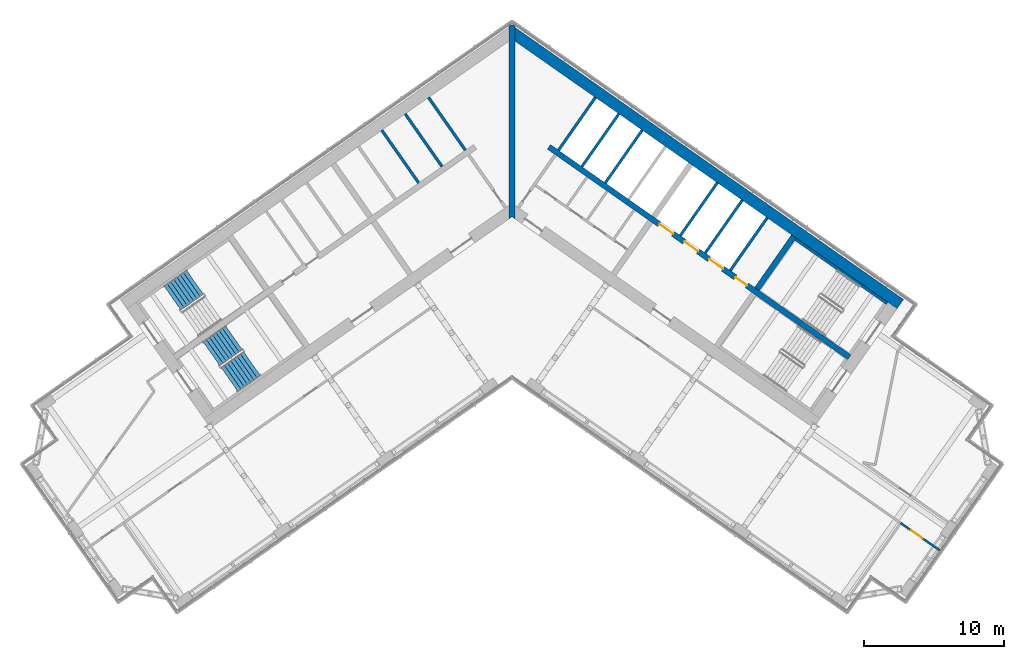
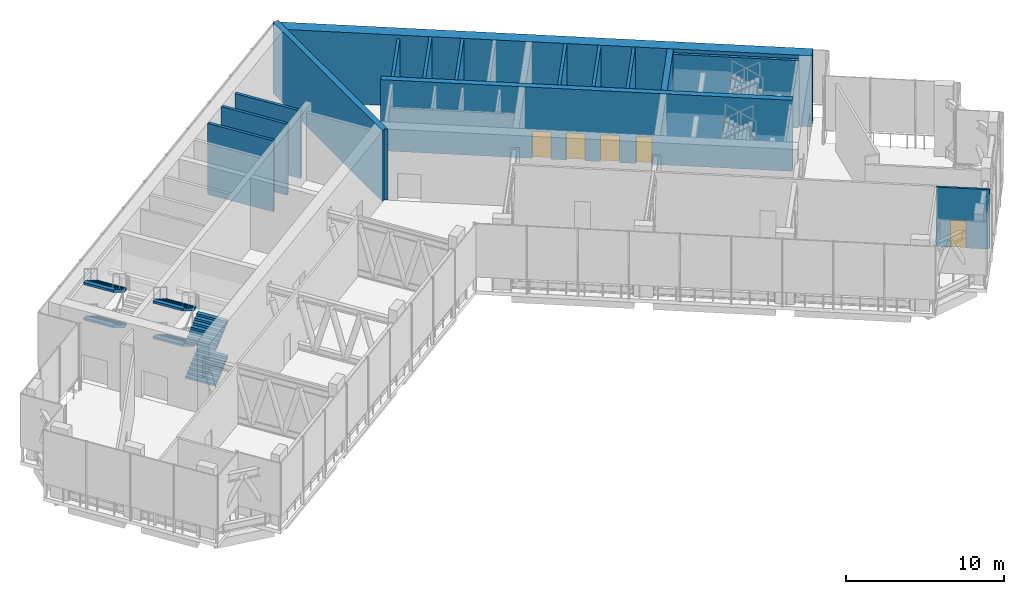
# One storey, part 6 of 19: 15 walls, 6 stair flights, 5 doors, 5 openings, 2 elements without a shape of their own.
"""IFC4 building model written with IfcOpenShell, lengths in metres."""

from ifc_helpers import new_model, si_unit, direction, frame, frame_2d, origin, place, context, subcontext, project, spatial, polyline, rectangle, outline, extrude, material, layer, layer_set, type_object, element, fill, aggregate, save


model = new_model("IFC4")

# Units and contexts
model_context = context("Model", 3, precision=1e-05, world=origin(), true_north=direction((0.0, 1.0)))
body_context = subcontext(model_context, "Body", "Model", "MODEL_VIEW")
ifc_project = project(units=[si_unit("LENGTHUNIT", "METRE"), si_unit("AREAUNIT", "SQUARE_METRE"), si_unit("VOLUMEUNIT", "CUBIC_METRE"), si_unit("PLANEANGLEUNIT", "RADIAN"), si_unit("MASSUNIT", "GRAM", prefix="KILO")], contexts=[model_context])

# Site, building, storey
site_placement = place(None, origin())
site = spatial("IfcSite", under=ifc_project, at=site_placement, CompositionType="ELEMENT")
building_placement = place(site_placement, origin())
building = spatial("IfcBuilding", under=site, at=building_placement, Name="Tel Ilan Convention Tower", CompositionType="ELEMENT")
storey_placement = place(building_placement, frame((0.0, 0.0, 213.89990234375)))
storey = spatial("IfcBuildingStorey", under=building, at=storey_placement, Name="L50", CompositionType="ELEMENT", Elevation=213.89990234375)

# Walls
ifc_material_1 = material(Name="Concrete C30/37", Category="concrete")
ifc_layer_1 = layer(ifc_material_1, 0.199951171875)
ifc_layer_set_1 = layer_set([ifc_layer_1], Name="Core Service Room Wall 200 mm C30/37")
wall_type_1 = type_object("IfcWallType", Name="Core Service Room Wall 200 mm C30/37", PredefinedType="SOLIDWALL", material=ifc_layer_set_1)
for number, where, z_axis, x_axis, name in (
    (1, (-3.32666015625, 3.530517578125, 0.0), (0.0, 0.0, 1.0), (-0.573576324356, 0.819152122709, 0.0), "L50 core wall apex-W-b"),
    (2, (3.32666015625, 3.530517578125, 0.0), (0.0, 0.0, 1.0), (0.573576324356, 0.819152122709, 0.0), "L50 core wall apex-E-b"),
):
    element("IfcWall", number, at=place(storey_placement, frame(where, z_axis=z_axis, x_axis=x_axis)), inside=storey, type_object=wall_type_1, Name=name, PredefinedType="SOLIDWALL", context=body_context, shape_type="SweptSolid", body=[
        extrude(rectangle(XDim=4.599853515625, YDim=0.199951171875, at=frame_2d((2.2998046875, 0.0))), origin(), (0.0, 0.0, 1.0), 5.22021484375),
    ])
ifc_material_2 = material(Name="Concrete C50/60", Category="concrete")
ifc_layer_2 = layer(ifc_material_2, 0.39990234375)
ifc_layer_set_2 = layer_set([ifc_layer_2], Name="Core Shear Wall 400 mm C50/60")
wall_type_2 = type_object("IfcWallType", Name="Core Shear Wall 400 mm C50/60", PredefinedType="SHEAR", material=ifc_layer_set_2)
wall_1_placement = place(storey_placement, frame((17.497802734375, -6.392333984375, 0.0), z_axis=(0.0, 0.0, 1.0), x_axis=(0.573611936273, 0.819127185829, 0.0)))
element("IfcWall", 3, at=wall_1_placement, inside=storey, type_object=wall_type_2, Name="L50 core wall E-cross2-2", PredefinedType="SHEAR", context=body_context, shape_type="SweptSolid", body=[
    extrude(outline(polyline([(4.599853515625, -0.199951171875), (4.599853515625, 0.2001953125), (0.0, 0.199951171875), (0.0, -0.2001953125), (4.599853515625, -0.199951171875)])), origin(), (0.0, 0.0, 1.0), 5.5),
])

# Wall, openings, doors
wall_2_placement = place(storey_placement, frame((2.638427734375, 3.76806640625, 0.0), z_axis=(0.0, 0.0, 1.0), x_axis=(0.81915267502, -0.573575535572, 0.0)))
wall_2 = element("IfcWall", 4, at=wall_2_placement, inside=storey, type_object=wall_type_2, Name="L50 core wall E-spine", PredefinedType="SHEAR", context=body_context, shape_type="SweptSolid", body=[
    extrude(outline(polyline([(0.0, 0.199951171875), (0.0, -0.199951171875), (26.199951171875, -0.199951171875), (26.199951171875, 0.199951171875), (0.0, 0.199951171875)])), origin(), (0.0, 0.0, 1.0), 5.5),
])
opening_1_placement = place(wall_2_placement, frame((9.637451171875, 0.0, 0.0)))
opening_1 = element("IfcOpeningElement", 5, at=opening_1_placement, cuts=wall_2, Name="Opening LD3901", PredefinedType="OPENING", context=body_context, shape_type="SweptSolid", body=[
    extrude(rectangle(XDim=1.199951171875, YDim=2.10009765625, at=frame_2d((0.60009765625, 1.050048828125))), frame((0.0, 0.2099609375, 0.0), z_axis=(0.0, -1.0, 0.0), x_axis=(1.0, 0.0, 0.0)), (0.0, 0.0, 1.0), 0.419921875),
])
opening_2_placement = place(wall_2_placement, frame((11.8125, 0.0, 0.0)))
opening_2 = element("IfcOpeningElement", 6, at=opening_2_placement, cuts=wall_2, Name="Opening LD3902", PredefinedType="OPENING", context=body_context, shape_type="SweptSolid", body=[
    extrude(rectangle(XDim=1.199951171875, YDim=2.10009765625, at=frame_2d((0.60009765625, 1.050048828125))), frame((0.0, 0.2099609375, 0.0), z_axis=(0.0, -1.0, 0.0), x_axis=(1.0, 0.0, 0.0)), (0.0, 0.0, 1.0), 0.419921875),
])
opening_3_placement = place(wall_2_placement, frame((13.987548828125, 0.0, 0.0)))
opening_3 = element("IfcOpeningElement", 7, at=opening_3_placement, cuts=wall_2, Name="Opening LD3903", PredefinedType="OPENING", context=body_context, shape_type="SweptSolid", body=[
    extrude(rectangle(XDim=1.199951171875, YDim=2.10009765625, at=frame_2d((0.60009765625, 1.050048828125))), frame((0.0, 0.2099609375, 0.0), z_axis=(0.0, -1.0, 0.0), x_axis=(1.0, 0.0, 0.0)), (0.0, 0.0, 1.0), 0.419921875),
])
opening_4_placement = place(wall_2_placement, frame((16.262451171875, 0.0, 0.0)))
opening_4 = element("IfcOpeningElement", 8, at=opening_4_placement, cuts=wall_2, Name="Opening CD3907", PredefinedType="OPENING", context=body_context, shape_type="SweptSolid", body=[
    extrude(rectangle(XDim=1.0, YDim=2.10009765625, at=frame_2d((0.5, 1.050048828125))), frame((0.0, 0.2099609375, 0.0), z_axis=(0.0, -1.0, 0.0), x_axis=(1.0, 0.0, 0.0)), (0.0, 0.0, 1.0), 0.419921875),
])
ifc_material_3 = material(Name="Stainless Steel Sliding Door Leaf", Category="steel")
door_type_1 = type_object("IfcDoorType", Name="Lift Landing Door 1200 x 2100 FD120", OperationType="NOTDEFINED", PredefinedType="DOOR", material=ifc_material_3)
door_1_placement = place(opening_1_placement, origin())
door_1 = element("IfcDoor", 9, at=door_1_placement, inside=storey, type_object=door_type_1, Name="Lift FL1 landing door", OperationType="SLIDING_TO_LEFT", OverallHeight=2.10009765625, OverallWidth=1.199951171875, PredefinedType="DOOR", context=body_context, shape_type="SweptSolid", body=[
    extrude(rectangle(XDim=1.199951171875, YDim=2.10009765625, at=frame_2d((0.60009765625, 1.050048828125))), frame((0.0, 0.02490234375, 0.0), z_axis=(0.0, -1.0, 0.0), x_axis=(1.0, 0.0, 0.0)), (0.0, 0.0, 1.0), 0.050048828125),
])
fill(opening_1, door_1)
door_2_placement = place(opening_2_placement, origin())
door_2 = element("IfcDoor", 10, at=door_2_placement, inside=storey, type_object=door_type_1, Name="Lift FL2 landing door", OperationType="SLIDING_TO_RIGHT", OverallHeight=2.10009765625, OverallWidth=1.199951171875, PredefinedType="DOOR", context=body_context, shape_type="SweptSolid", body=[
    extrude(rectangle(XDim=1.199951171875, YDim=2.10009765625, at=frame_2d((0.60009765625, 1.050048828125))), frame((0.0, 0.02490234375, 0.0), z_axis=(0.0, -1.0, 0.0), x_axis=(1.0, 0.0, 0.0)), (0.0, 0.0, 1.0), 0.050048828125),
])
fill(opening_2, door_2)
door_3_placement = place(opening_3_placement, origin())
door_3 = element("IfcDoor", 11, at=door_3_placement, inside=storey, type_object=door_type_1, Name="Lift FL3 landing door", OperationType="SLIDING_TO_LEFT", OverallHeight=2.10009765625, OverallWidth=1.199951171875, PredefinedType="DOOR", context=body_context, shape_type="SweptSolid", body=[
    extrude(rectangle(XDim=1.199951171875, YDim=2.10009765625, at=frame_2d((0.60009765625, 1.050048828125))), frame((0.0, 0.02490234375, 0.0), z_axis=(0.0, -1.0, 0.0), x_axis=(1.0, 0.0, 0.0)), (0.0, 0.0, 1.0), 0.050048828125),
])
fill(opening_3, door_3)
ifc_material_4 = material(Name="Galvanised Steel Door Leaf", Category="steel")
door_type_2 = type_object("IfcDoorType", Name="Service Room Door 1000 x 2100 FD60", OperationType="NOTDEFINED", PredefinedType="DOOR", material=ifc_material_4)
door_4_placement = place(opening_4_placement, origin())
door_4 = element("IfcDoor", 12, at=door_4_placement, inside=storey, type_object=door_type_2, Name="Plant Room door", OperationType="SINGLE_SWING_RIGHT", OverallHeight=2.10009765625, OverallWidth=1.0, PredefinedType="DOOR", context=body_context, shape_type="SweptSolid", body=[
    extrude(rectangle(XDim=1.0, YDim=2.10009765625, at=frame_2d((0.5, 1.050048828125))), frame((0.0, 0.02490234375, 0.0), z_axis=(0.0, -1.0, 0.0), x_axis=(1.0, 0.0, 0.0)), (0.0, 0.0, 1.0), 0.050048828125),
])
fill(opening_4, door_4)

# Walls
wall_3_placement = place(storey_placement, frame((0.0, -1.36083984375, 0.0), z_axis=(0.0, 0.0, 1.0), x_axis=(0.0, 1.0, 0.0)))
element("IfcWall", 13, at=wall_3_placement, inside=storey, type_object=wall_type_2, Name="L50 core wall K-central", PredefinedType="SHEAR", context=body_context, shape_type="SweptSolid", body=[
    extrude(outline(polyline([(0.0, -0.199951171875), (0.14013671875, -0.199951171875), (1.0751953125, -0.199951171875), (12.696044921875, -0.199951171875), (13.812744140625, -0.199951171875), (13.893310546875, -0.199951171875), (13.933349609375, -0.172119140625), (13.812744140625, 0.0), (13.933349609375, 0.172119140625), (13.893310546875, 0.199951171875), (13.812744140625, 0.199951171875), (12.696044921875, 0.199951171875), (1.0751953125, 0.199951171875), (0.14013671875, 0.199951171875), (0.0, 0.199951171875), (0.14013671875, 0.0), (0.0, -0.199951171875)])), origin(), (0.0, 0.0, 1.0), 5.5),
])
ifc_material_5 = material(Name="Concrete C50/60", Category="concrete")
ifc_layer_3 = layer(ifc_material_5, 0.800048828125)
ifc_layer_set_3 = layer_set([ifc_layer_3], Name="Core Shear Wall 800 mm C50/60")
wall_type_3 = type_object("IfcWallType", Name="Core Shear Wall 800 mm C50/60", PredefinedType="SHEAR", material=ifc_layer_set_3)
wall_4_placement = place(storey_placement, frame((-0.029296875, 11.984130859375, 0.0), z_axis=(0.0, 0.0, 1.0), x_axis=(0.819151382952, -0.573577380837, 0.0)))
element("IfcWall", 14, at=wall_4_placement, inside=storey, type_object=wall_type_3, Name="L50 core wall E-back", PredefinedType="SHEAR", context=body_context, shape_type="SweptSolid", body=[
    extrude(outline(polyline([(33.897705078125, 0.400146484375), (-0.000244140625, 0.39990234375), (0.56005859375, -0.400146484375), (33.897705078125, -0.39990234375), (33.897705078125, 0.400146484375)])), origin(), (0.0, 0.0, 1.0), 5.5),
])

# Wall, opening, door
ifc_material_6 = material(Name="Plasterboard on Steel Studs", Category="steel")
ifc_layer_4 = layer(ifc_material_6, 0.14990234375)
ifc_layer_set_4 = layer_set([ifc_layer_4], Name="Fire-rated Partition 150 EI 60")
wall_type_4 = type_object("IfcWallType", Name="Fire-rated Partition 150 EI 60", PredefinedType="PARTITIONING", material=ifc_layer_set_4)
wall_5_placement = place(storey_placement, frame((30.553955078125, -25.056396484375, 0.0), z_axis=(0.0, 0.0, 1.0), x_axis=(-0.819147629048, 0.573582741917, 0.0)))
wall_5 = element("IfcWall", 15, at=wall_5_placement, inside=storey, type_object=wall_type_4, Name="Partition 004", PredefinedType="PARTITIONING", context=body_context, shape_type="SweptSolid", body=[
    extrude(rectangle(XDim=3.402099609375, YDim=0.14990234375, at=frame_2d((1.701171875, 0.0))), origin(), (0.0, 0.0, 1.0), 4.60009765625),
])
opening_5_placement = place(wall_5_placement, frame((1.5009765625, 0.0, 0.0)))
opening_5 = element("IfcOpeningElement", 16, at=opening_5_placement, cuts=wall_5, Name="Opening L50-006", PredefinedType="OPENING", context=body_context, shape_type="SweptSolid", body=[
    extrude(rectangle(XDim=1.0, YDim=2.10009765625, at=frame_2d((0.5, 1.050048828125))), frame((0.0, 0.0849609375, 0.0), z_axis=(0.0, -1.0, 0.0), x_axis=(1.0, 0.0, 0.0)), (0.0, 0.0, 1.0), 0.169921875),
])
ifc_material_7 = material(Name="Timber Door Leaf in Steel Frame", Category="steel")
door_type_3 = type_object("IfcDoorType", Name="Plant Room Fire Door 1000x2100", OperationType="NOTDEFINED", PredefinedType="DOOR", material=ifc_material_7)
door_5_placement = place(opening_5_placement, origin())
door_5 = element("IfcDoor", 17, at=door_5_placement, inside=storey, type_object=door_type_3, Name="Door L50-006", OperationType="SINGLE_SWING_RIGHT", OverallHeight=2.10009765625, OverallWidth=1.0, PredefinedType="DOOR", context=body_context, shape_type="SweptSolid", body=[
    extrude(rectangle(XDim=1.0, YDim=2.10009765625, at=frame_2d((0.5, 1.050048828125))), frame((0.0, 0.02490234375, 0.0), z_axis=(0.0, -1.0, 0.0), x_axis=(1.0, 0.0, 0.0)), (0.0, 0.0, 1.0), 0.050048828125),
])
fill(opening_5, door_5)

# Walls
ifc_material_8 = material(Name="Concrete C30/37", Category="concrete")
ifc_layer_5 = layer(ifc_material_8, 0.199951171875)
ifc_layer_set_5 = layer_set([ifc_layer_5], Name="Lift Shaft Wall 200 mm C30/37")
wall_type_5 = type_object("IfcWallType", Name="Lift Shaft Wall 200 mm C30/37", PredefinedType="SOLIDWALL", material=ifc_layer_set_5)
for number, where, z_axis, x_axis, name in (
    (18, (-4.99560546875, 2.36181640625, 0.0), (0.0, 0.0, 1.0), (-0.573576324356, 0.819152122709, 0.0), "L50 core wall bank-W1-p0"),
    (19, (-6.66455078125, 1.193115234375, 0.0), (0.0, 0.0, 1.0), (-0.573576324356, 0.819152122709, 0.0), "L50 core wall bank-W1-p1"),
    (20, (4.99560546875, 2.36181640625, 0.0), (0.0, 0.0, 1.0), (0.573576324356, 0.819152122709, 0.0), "L50 core wall bank-E1-p0"),
    (21, (6.66455078125, 1.193115234375, 0.0), (0.0, 0.0, 1.0), (0.573576324356, 0.819152122709, 0.0), "L50 core wall bank-E1-p1"),
    (22, (12.030029296875, -2.563720703125, 0.0), (0.0, 0.0, 1.0), (0.573576324356, 0.819152122709, 0.0), "L50 core wall bank-E2-p0"),
    (23, (13.811767578125, -3.811279296875, 0.0), (0.0, 0.0, 1.0), (0.573576324356, 0.819152122709, 0.0), "L50 core wall bank-E2-p1"),
    (24, (15.593505859375, -5.058837890625, 0.0), (0.0, 0.0, 1.0), (0.573540709186, 0.819177059558, 0.0), "L50 core wall bank-E2-p2"),
):
    element("IfcWall", number, at=place(storey_placement, frame(where, z_axis=z_axis, x_axis=x_axis)), inside=storey, type_object=wall_type_5, Name=name, PredefinedType="SOLIDWALL", context=body_context, shape_type="SweptSolid", body=[
        extrude(rectangle(XDim=4.599853515625, YDim=0.199951171875, at=frame_2d((2.2998046875, 0.0))), origin(), (0.0, 0.0, 1.0), 5.5),
    ])
ifc_material_9 = material(Name="Concrete C30/37", Category="concrete")
ifc_layer_6 = layer(ifc_material_9, 0.199951171875)
ifc_layer_set_6 = layer_set([ifc_layer_6], Name="Stair and Shaft Lining Wall 200 mm C30/37")
wall_type_6 = type_object("IfcWallType", Name="Stair and Shaft Lining Wall 200 mm C30/37", PredefinedType="SOLIDWALL", material=ifc_layer_set_6)
wall_6_placement = place(storey_placement, frame((20.242919921875, -2.821044921875, 0.0), z_axis=(0.0, 0.0, 1.0), x_axis=(0.819141584393, -0.57359137434, 0.0)))
element("IfcWall", 25, at=wall_6_placement, inside=storey, type_object=wall_type_6, Name="L50 core wall lining-S3-t1", PredefinedType="SOLIDWALL", context=body_context, shape_type="SweptSolid", body=[
    extrude(rectangle(XDim=7.999755859375, YDim=0.199951171875, at=frame_2d((4.0, 0.0))), origin(), (0.0, 0.0, 1.0), 5.22021484375),
])

# Stair, stair flights
ifc_material_10 = material(Name="Concrete C40/50", Category="concrete")
stair_type = type_object("IfcStairType", Name="Pressurised Exit Stair 32 risers 172 mm", PredefinedType="HALF_TURN_STAIR", material=ifc_material_10)
stair_1_placement = place(storey_placement, origin())
stair_1 = element("IfcStair", 26, at=stair_1_placement, inside=storey, type_object=stair_type, Name="L50 Pressurised Stair S1", PredefinedType="HALF_TURN_STAIR")
ifc_material_11 = material(Name="Precast Concrete C40/50", Category="concrete")
stair_flight_type = type_object("IfcStairFlightType", Name="Concrete Stair Flight 2100 mm 32 risers 172 mm", PredefinedType="STRAIGHT", material=ifc_material_11)
stair_flight_1_placement = place(storey_placement, frame((-22.646728515625, -5.908203125, 1.375), z_axis=(0.0, 0.0, 1.0), x_axis=(-0.819152044289, -0.573576436351, 0.0)))
stair_flight_1 = element("IfcStairFlight", 27, at=stair_flight_1_placement, type_object=stair_flight_type, Name="S1 flight 2", NumberOfRisers=8, NumberOfTreads=7, PredefinedType="STRAIGHT", RiserHeight=0.171875, TreadLength=0.28, context=body_context, shape_type="SweptSolid", body=[
    extrude(outline(polyline([(0.0, 0.0), (0.0, 0.171875), (0.280029296875, 0.171875), (0.280029296875, 0.34375), (0.56005859375, 0.34375), (0.56005859375, 0.515625), (0.840087890625, 0.515625), (0.840087890625, 0.6875), (1.1201171875, 0.6875), (1.1201171875, 0.859375), (1.39990234375, 0.859375), (1.39990234375, 1.03125), (1.679931640625, 1.03125), (1.679931640625, 1.203125), (1.9599609375, 1.203125), (1.9599609375, 1.375), (1.9599609375, 1.02734375), (0.28662109375, 0.0), (0.0, 0.0)])), frame((0.0, -0.100341796875, 0.0), z_axis=(0.0, -1.0, 0.0), x_axis=(1.0, 0.0, 0.0)), (0.0, 0.0, 1.0), 0.94970703125),
    extrude(outline(polyline([(0.0, 0.0), (0.0, 0.171875), (0.280029296875, 0.171875), (0.280029296875, 0.34375), (0.56005859375, 0.34375), (0.56005859375, 0.515625), (0.840087890625, 0.515625), (0.840087890625, 0.6875), (1.1201171875, 0.6875), (1.1201171875, 0.859375), (1.39990234375, 0.859375), (1.39990234375, 1.03125), (1.679931640625, 1.03125), (1.679931640625, 1.203125), (1.9599609375, 1.203125), (1.9599609375, 1.375), (1.9599609375, 1.02734375), (0.28662109375, 0.0), (0.0, 0.0)])), frame((0.0, -0.000244140625, 0.0), z_axis=(0.0, -1.0, 0.0), x_axis=(1.0, 0.0, 0.0)), (0.0, 0.0, 1.0), 0.099609375),
    extrude(outline(polyline([(0.0, 0.0), (0.0, 0.171875), (0.280029296875, 0.171875), (0.280029296875, 0.34375), (0.56005859375, 0.34375), (0.56005859375, 0.515625), (0.840087890625, 0.515625), (0.840087890625, 0.6875), (1.1201171875, 0.6875), (1.1201171875, 0.859375), (1.39990234375, 0.859375), (1.39990234375, 1.03125), (1.679931640625, 1.03125), (1.679931640625, 1.203125), (1.9599609375, 1.203125), (1.9599609375, 1.375), (1.9599609375, 1.02734375), (0.28662109375, 0.0), (0.0, 0.0)])), frame((0.0, 0.099853515625, 0.0), z_axis=(0.0, -1.0, 0.0), x_axis=(1.0, 0.0, 0.0)), (0.0, 0.0, 1.0), 0.099609375),
    extrude(outline(polyline([(0.0, 0.0), (0.0, 0.171875), (0.280029296875, 0.171875), (0.280029296875, 0.34375), (0.56005859375, 0.34375), (0.56005859375, 0.515625), (0.840087890625, 0.515625), (0.840087890625, 0.6875), (1.1201171875, 0.6875), (1.1201171875, 0.859375), (1.39990234375, 0.859375), (1.39990234375, 1.03125), (1.679931640625, 1.03125), (1.679931640625, 1.203125), (1.9599609375, 1.203125), (1.9599609375, 1.375), (1.9599609375, 1.02734375), (0.28662109375, 0.0), (0.0, 0.0)])), frame((0.0, 1.050048828125, 0.0), z_axis=(0.0, -1.0, 0.0), x_axis=(1.0, 0.0, 0.0)), (0.0, 0.0, 1.0), 0.94970703125),
])
stair_flight_2_placement = place(storey_placement, frame((-22.646728515625, -5.908203125, 4.125), z_axis=(0.0, 0.0, 1.0), x_axis=(-0.819152044289, -0.573576436351, 0.0)))
stair_flight_2 = element("IfcStairFlight", 28, at=stair_flight_2_placement, type_object=stair_flight_type, Name="S1 flight 4", NumberOfRisers=8, NumberOfTreads=7, PredefinedType="STRAIGHT", RiserHeight=0.171875, TreadLength=0.28, context=body_context, shape_type="SweptSolid", body=[
    extrude(outline(polyline([(0.0, 0.0), (0.0, 0.171875), (0.280029296875, 0.171875), (0.280029296875, 0.34375), (0.56005859375, 0.34375), (0.56005859375, 0.515625), (0.840087890625, 0.515625), (0.840087890625, 0.6875), (1.1201171875, 0.6875), (1.1201171875, 0.859375), (1.39990234375, 0.859375), (1.39990234375, 1.03125), (1.679931640625, 1.03125), (1.679931640625, 1.203125), (1.9599609375, 1.203125), (1.9599609375, 1.375), (1.9599609375, 1.02734375), (0.28662109375, 0.0), (0.0, 0.0)])), frame((0.0, -0.100341796875, 0.0), z_axis=(0.0, -1.0, 0.0), x_axis=(1.0, 0.0, 0.0)), (0.0, 0.0, 1.0), 0.94970703125),
    extrude(outline(polyline([(0.0, 0.0), (0.0, 0.171875), (0.280029296875, 0.171875), (0.280029296875, 0.34375), (0.56005859375, 0.34375), (0.56005859375, 0.515625), (0.840087890625, 0.515625), (0.840087890625, 0.6875), (1.1201171875, 0.6875), (1.1201171875, 0.859375), (1.39990234375, 0.859375), (1.39990234375, 1.03125), (1.679931640625, 1.03125), (1.679931640625, 1.203125), (1.9599609375, 1.203125), (1.9599609375, 1.375), (1.9599609375, 1.02734375), (0.28662109375, 0.0), (0.0, 0.0)])), frame((0.0, -0.000244140625, 0.0), z_axis=(0.0, -1.0, 0.0), x_axis=(1.0, 0.0, 0.0)), (0.0, 0.0, 1.0), 0.099609375),
    extrude(outline(polyline([(0.0, 0.0), (0.0, 0.171875), (0.280029296875, 0.171875), (0.280029296875, 0.34375), (0.56005859375, 0.34375), (0.56005859375, 0.515625), (0.840087890625, 0.515625), (0.840087890625, 0.6875), (1.1201171875, 0.6875), (1.1201171875, 0.859375), (1.39990234375, 0.859375), (1.39990234375, 1.03125), (1.679931640625, 1.03125), (1.679931640625, 1.203125), (1.9599609375, 1.203125), (1.9599609375, 1.375), (1.9599609375, 1.02734375), (0.28662109375, 0.0), (0.0, 0.0)])), frame((0.0, 0.099853515625, 0.0), z_axis=(0.0, -1.0, 0.0), x_axis=(1.0, 0.0, 0.0)), (0.0, 0.0, 1.0), 0.099609375),
    extrude(outline(polyline([(0.0, 0.0), (0.0, 0.171875), (0.280029296875, 0.171875), (0.280029296875, 0.34375), (0.56005859375, 0.34375), (0.56005859375, 0.515625), (0.840087890625, 0.515625), (0.840087890625, 0.6875), (1.1201171875, 0.6875), (1.1201171875, 0.859375), (1.39990234375, 0.859375), (1.39990234375, 1.03125), (1.679931640625, 1.03125), (1.679931640625, 1.203125), (1.9599609375, 1.203125), (1.9599609375, 1.375), (1.9599609375, 1.02734375), (0.28662109375, 0.0), (0.0, 0.0)])), frame((0.0, 1.050048828125, 0.0), z_axis=(0.0, -1.0, 0.0), x_axis=(1.0, 0.0, 0.0)), (0.0, 0.0, 1.0), 0.94970703125),
])
aggregate(stair_1, [stair_flight_1, stair_flight_2])

stair_2_placement = place(storey_placement, origin())
stair_2 = element("IfcStair", 29, at=stair_2_placement, inside=storey, type_object=stair_type, Name="L50 Pressurised Stair S2", PredefinedType="HALF_TURN_STAIR")
stair_flight_3_placement = place(storey_placement, frame((-20.179931640625, -12.848388671875, 0.0), z_axis=(0.0, 0.0, 1.0), x_axis=(0.819152044289, 0.573576436351, 0.0)))
stair_flight_3 = element("IfcStairFlight", 30, at=stair_flight_3_placement, type_object=stair_flight_type, Name="S2 flight 1", NumberOfRisers=8, NumberOfTreads=7, PredefinedType="STRAIGHT", RiserHeight=0.171875, TreadLength=0.28, context=body_context, shape_type="SweptSolid", body=[
    extrude(outline(polyline([(0.0, 0.0), (0.0, 0.171875), (0.280029296875, 0.171875), (0.280029296875, 0.34375), (0.56005859375, 0.34375), (0.56005859375, 0.515625), (0.840087890625, 0.515625), (0.840087890625, 0.6875), (1.1201171875, 0.6875), (1.1201171875, 0.859375), (1.39990234375, 0.859375), (1.39990234375, 1.03125), (1.679931640625, 1.03125), (1.679931640625, 1.203125), (1.9599609375, 1.203125), (1.9599609375, 1.375), (1.9599609375, 1.02734375), (0.28662109375, 0.0), (0.0, 0.0)])), frame((0.0, -0.100341796875, 0.0), z_axis=(0.0, -1.0, 0.0), x_axis=(1.0, 0.0, 0.0)), (0.0, 0.0, 1.0), 0.94970703125),
    extrude(outline(polyline([(0.0, 0.0), (0.0, 0.171875), (0.280029296875, 0.171875), (0.280029296875, 0.34375), (0.56005859375, 0.34375), (0.56005859375, 0.515625), (0.840087890625, 0.515625), (0.840087890625, 0.6875), (1.1201171875, 0.6875), (1.1201171875, 0.859375), (1.39990234375, 0.859375), (1.39990234375, 1.03125), (1.679931640625, 1.03125), (1.679931640625, 1.203125), (1.9599609375, 1.203125), (1.9599609375, 1.375), (1.9599609375, 1.02734375), (0.28662109375, 0.0), (0.0, 0.0)])), frame((0.0, -0.000244140625, 0.0), z_axis=(0.0, -1.0, 0.0), x_axis=(1.0, 0.0, 0.0)), (0.0, 0.0, 1.0), 0.099609375),
    extrude(outline(polyline([(0.0, 0.0), (0.0, 0.171875), (0.280029296875, 0.171875), (0.280029296875, 0.34375), (0.56005859375, 0.34375), (0.56005859375, 0.515625), (0.840087890625, 0.515625), (0.840087890625, 0.6875), (1.1201171875, 0.6875), (1.1201171875, 0.859375), (1.39990234375, 0.859375), (1.39990234375, 1.03125), (1.679931640625, 1.03125), (1.679931640625, 1.203125), (1.9599609375, 1.203125), (1.9599609375, 1.375), (1.9599609375, 1.02734375), (0.28662109375, 0.0), (0.0, 0.0)])), frame((0.0, 0.099853515625, 0.0), z_axis=(0.0, -1.0, 0.0), x_axis=(1.0, 0.0, 0.0)), (0.0, 0.0, 1.0), 0.099609375),
    extrude(outline(polyline([(0.0, 0.0), (0.0, 0.171875), (0.280029296875, 0.171875), (0.280029296875, 0.34375), (0.56005859375, 0.34375), (0.56005859375, 0.515625), (0.840087890625, 0.515625), (0.840087890625, 0.6875), (1.1201171875, 0.6875), (1.1201171875, 0.859375), (1.39990234375, 0.859375), (1.39990234375, 1.03125), (1.679931640625, 1.03125), (1.679931640625, 1.203125), (1.9599609375, 1.203125), (1.9599609375, 1.375), (1.9599609375, 1.02734375), (0.28662109375, 0.0), (0.0, 0.0)])), frame((0.0, 1.050048828125, 0.0), z_axis=(0.0, -1.0, 0.0), x_axis=(1.0, 0.0, 0.0)), (0.0, 0.0, 1.0), 0.94970703125),
])
stair_flight_4_placement = place(storey_placement, frame((-19.864990234375, -9.881103515625, 1.375), z_axis=(0.0, 0.0, 1.0), x_axis=(-0.819152044289, -0.573576436351, 0.0)))
stair_flight_4 = element("IfcStairFlight", 31, at=stair_flight_4_placement, type_object=stair_flight_type, Name="S2 flight 2", NumberOfRisers=8, NumberOfTreads=7, PredefinedType="STRAIGHT", RiserHeight=0.171875, TreadLength=0.28, context=body_context, shape_type="SweptSolid", body=[
    extrude(outline(polyline([(0.0, 0.0), (0.0, 0.171875), (0.280029296875, 0.171875), (0.280029296875, 0.34375), (0.56005859375, 0.34375), (0.56005859375, 0.515625), (0.840087890625, 0.515625), (0.840087890625, 0.6875), (1.1201171875, 0.6875), (1.1201171875, 0.859375), (1.39990234375, 0.859375), (1.39990234375, 1.03125), (1.679931640625, 1.03125), (1.679931640625, 1.203125), (1.9599609375, 1.203125), (1.9599609375, 1.375), (1.9599609375, 1.02734375), (0.28662109375, 0.0), (0.0, 0.0)])), frame((0.0, -0.100341796875, 0.0), z_axis=(0.0, -1.0, 0.0), x_axis=(1.0, 0.0, 0.0)), (0.0, 0.0, 1.0), 0.94970703125),
    extrude(outline(polyline([(0.0, 0.0), (0.0, 0.171875), (0.280029296875, 0.171875), (0.280029296875, 0.34375), (0.56005859375, 0.34375), (0.56005859375, 0.515625), (0.840087890625, 0.515625), (0.840087890625, 0.6875), (1.1201171875, 0.6875), (1.1201171875, 0.859375), (1.39990234375, 0.859375), (1.39990234375, 1.03125), (1.679931640625, 1.03125), (1.679931640625, 1.203125), (1.9599609375, 1.203125), (1.9599609375, 1.375), (1.9599609375, 1.02734375), (0.28662109375, 0.0), (0.0, 0.0)])), frame((0.0, -0.000244140625, 0.0), z_axis=(0.0, -1.0, 0.0), x_axis=(1.0, 0.0, 0.0)), (0.0, 0.0, 1.0), 0.099609375),
    extrude(outline(polyline([(0.0, 0.0), (0.0, 0.171875), (0.280029296875, 0.171875), (0.280029296875, 0.34375), (0.56005859375, 0.34375), (0.56005859375, 0.515625), (0.840087890625, 0.515625), (0.840087890625, 0.6875), (1.1201171875, 0.6875), (1.1201171875, 0.859375), (1.39990234375, 0.859375), (1.39990234375, 1.03125), (1.679931640625, 1.03125), (1.679931640625, 1.203125), (1.9599609375, 1.203125), (1.9599609375, 1.375), (1.9599609375, 1.02734375), (0.28662109375, 0.0), (0.0, 0.0)])), frame((0.0, 0.099853515625, 0.0), z_axis=(0.0, -1.0, 0.0), x_axis=(1.0, 0.0, 0.0)), (0.0, 0.0, 1.0), 0.099609375),
    extrude(outline(polyline([(0.0, 0.0), (0.0, 0.171875), (0.280029296875, 0.171875), (0.280029296875, 0.34375), (0.56005859375, 0.34375), (0.56005859375, 0.515625), (0.840087890625, 0.515625), (0.840087890625, 0.6875), (1.1201171875, 0.6875), (1.1201171875, 0.859375), (1.39990234375, 0.859375), (1.39990234375, 1.03125), (1.679931640625, 1.03125), (1.679931640625, 1.203125), (1.9599609375, 1.203125), (1.9599609375, 1.375), (1.9599609375, 1.02734375), (0.28662109375, 0.0), (0.0, 0.0)])), frame((0.0, 1.050048828125, 0.0), z_axis=(0.0, -1.0, 0.0), x_axis=(1.0, 0.0, 0.0)), (0.0, 0.0, 1.0), 0.94970703125),
])
stair_flight_5_placement = place(storey_placement, frame((-20.179931640625, -12.848388671875, 2.75), z_axis=(0.0, 0.0, 1.0), x_axis=(0.819152044289, 0.573576436351, 0.0)))
stair_flight_5 = element("IfcStairFlight", 32, at=stair_flight_5_placement, type_object=stair_flight_type, Name="S2 flight 3", NumberOfRisers=8, NumberOfTreads=7, PredefinedType="STRAIGHT", RiserHeight=0.171875, TreadLength=0.28, context=body_context, shape_type="SweptSolid", body=[
    extrude(outline(polyline([(0.0, 0.0), (0.0, 0.171875), (0.280029296875, 0.171875), (0.280029296875, 0.34375), (0.56005859375, 0.34375), (0.56005859375, 0.515625), (0.840087890625, 0.515625), (0.840087890625, 0.6875), (1.1201171875, 0.6875), (1.1201171875, 0.859375), (1.39990234375, 0.859375), (1.39990234375, 1.03125), (1.679931640625, 1.03125), (1.679931640625, 1.203125), (1.9599609375, 1.203125), (1.9599609375, 1.375), (1.9599609375, 1.02734375), (0.28662109375, 0.0), (0.0, 0.0)])), frame((0.0, -0.100341796875, 0.0), z_axis=(0.0, -1.0, 0.0), x_axis=(1.0, 0.0, 0.0)), (0.0, 0.0, 1.0), 0.94970703125),
    extrude(outline(polyline([(0.0, 0.0), (0.0, 0.171875), (0.280029296875, 0.171875), (0.280029296875, 0.34375), (0.56005859375, 0.34375), (0.56005859375, 0.515625), (0.840087890625, 0.515625), (0.840087890625, 0.6875), (1.1201171875, 0.6875), (1.1201171875, 0.859375), (1.39990234375, 0.859375), (1.39990234375, 1.03125), (1.679931640625, 1.03125), (1.679931640625, 1.203125), (1.9599609375, 1.203125), (1.9599609375, 1.375), (1.9599609375, 1.02734375), (0.28662109375, 0.0), (0.0, 0.0)])), frame((0.0, -0.000244140625, 0.0), z_axis=(0.0, -1.0, 0.0), x_axis=(1.0, 0.0, 0.0)), (0.0, 0.0, 1.0), 0.099609375),
    extrude(outline(polyline([(0.0, 0.0), (0.0, 0.171875), (0.280029296875, 0.171875), (0.280029296875, 0.34375), (0.56005859375, 0.34375), (0.56005859375, 0.515625), (0.840087890625, 0.515625), (0.840087890625, 0.6875), (1.1201171875, 0.6875), (1.1201171875, 0.859375), (1.39990234375, 0.859375), (1.39990234375, 1.03125), (1.679931640625, 1.03125), (1.679931640625, 1.203125), (1.9599609375, 1.203125), (1.9599609375, 1.375), (1.9599609375, 1.02734375), (0.28662109375, 0.0), (0.0, 0.0)])), frame((0.0, 0.099853515625, 0.0), z_axis=(0.0, -1.0, 0.0), x_axis=(1.0, 0.0, 0.0)), (0.0, 0.0, 1.0), 0.099609375),
    extrude(outline(polyline([(0.0, 0.0), (0.0, 0.171875), (0.280029296875, 0.171875), (0.280029296875, 0.34375), (0.56005859375, 0.34375), (0.56005859375, 0.515625), (0.840087890625, 0.515625), (0.840087890625, 0.6875), (1.1201171875, 0.6875), (1.1201171875, 0.859375), (1.39990234375, 0.859375), (1.39990234375, 1.03125), (1.679931640625, 1.03125), (1.679931640625, 1.203125), (1.9599609375, 1.203125), (1.9599609375, 1.375), (1.9599609375, 1.02734375), (0.28662109375, 0.0), (0.0, 0.0)])), frame((0.0, 1.050048828125, 0.0), z_axis=(0.0, -1.0, 0.0), x_axis=(1.0, 0.0, 0.0)), (0.0, 0.0, 1.0), 0.94970703125),
])
stair_flight_6_placement = place(storey_placement, frame((-19.864990234375, -9.881103515625, 4.125), z_axis=(0.0, 0.0, 1.0), x_axis=(-0.819152044289, -0.573576436351, 0.0)))
stair_flight_6 = element("IfcStairFlight", 33, at=stair_flight_6_placement, type_object=stair_flight_type, Name="S2 flight 4", NumberOfRisers=8, NumberOfTreads=7, PredefinedType="STRAIGHT", RiserHeight=0.171875, TreadLength=0.28, context=body_context, shape_type="SweptSolid", body=[
    extrude(outline(polyline([(0.0, 0.0), (0.0, 0.171875), (0.280029296875, 0.171875), (0.280029296875, 0.34375), (0.56005859375, 0.34375), (0.56005859375, 0.515625), (0.840087890625, 0.515625), (0.840087890625, 0.6875), (1.1201171875, 0.6875), (1.1201171875, 0.859375), (1.39990234375, 0.859375), (1.39990234375, 1.03125), (1.679931640625, 1.03125), (1.679931640625, 1.203125), (1.9599609375, 1.203125), (1.9599609375, 1.375), (1.9599609375, 1.02734375), (0.28662109375, 0.0), (0.0, 0.0)])), frame((0.0, -0.100341796875, 0.0), z_axis=(0.0, -1.0, 0.0), x_axis=(1.0, 0.0, 0.0)), (0.0, 0.0, 1.0), 0.94970703125),
    extrude(outline(polyline([(0.0, 0.0), (0.0, 0.171875), (0.280029296875, 0.171875), (0.280029296875, 0.34375), (0.56005859375, 0.34375), (0.56005859375, 0.515625), (0.840087890625, 0.515625), (0.840087890625, 0.6875), (1.1201171875, 0.6875), (1.1201171875, 0.859375), (1.39990234375, 0.859375), (1.39990234375, 1.03125), (1.679931640625, 1.03125), (1.679931640625, 1.203125), (1.9599609375, 1.203125), (1.9599609375, 1.375), (1.9599609375, 1.02734375), (0.28662109375, 0.0), (0.0, 0.0)])), frame((0.0, -0.000244140625, 0.0), z_axis=(0.0, -1.0, 0.0), x_axis=(1.0, 0.0, 0.0)), (0.0, 0.0, 1.0), 0.099609375),
    extrude(outline(polyline([(0.0, 0.0), (0.0, 0.171875), (0.280029296875, 0.171875), (0.280029296875, 0.34375), (0.56005859375, 0.34375), (0.56005859375, 0.515625), (0.840087890625, 0.515625), (0.840087890625, 0.6875), (1.1201171875, 0.6875), (1.1201171875, 0.859375), (1.39990234375, 0.859375), (1.39990234375, 1.03125), (1.679931640625, 1.03125), (1.679931640625, 1.203125), (1.9599609375, 1.203125), (1.9599609375, 1.375), (1.9599609375, 1.02734375), (0.28662109375, 0.0), (0.0, 0.0)])), frame((0.0, 0.099853515625, 0.0), z_axis=(0.0, -1.0, 0.0), x_axis=(1.0, 0.0, 0.0)), (0.0, 0.0, 1.0), 0.099609375),
    extrude(outline(polyline([(0.0, 0.0), (0.0, 0.171875), (0.280029296875, 0.171875), (0.280029296875, 0.34375), (0.56005859375, 0.34375), (0.56005859375, 0.515625), (0.840087890625, 0.515625), (0.840087890625, 0.6875), (1.1201171875, 0.6875), (1.1201171875, 0.859375), (1.39990234375, 0.859375), (1.39990234375, 1.03125), (1.679931640625, 1.03125), (1.679931640625, 1.203125), (1.9599609375, 1.203125), (1.9599609375, 1.375), (1.9599609375, 1.02734375), (0.28662109375, 0.0), (0.0, 0.0)])), frame((0.0, 1.050048828125, 0.0), z_axis=(0.0, -1.0, 0.0), x_axis=(1.0, 0.0, 0.0)), (0.0, 0.0, 1.0), 0.94970703125),
])
aggregate(stair_2, [stair_flight_3, stair_flight_4, stair_flight_5, stair_flight_6])

save(model, "model.ifc")
